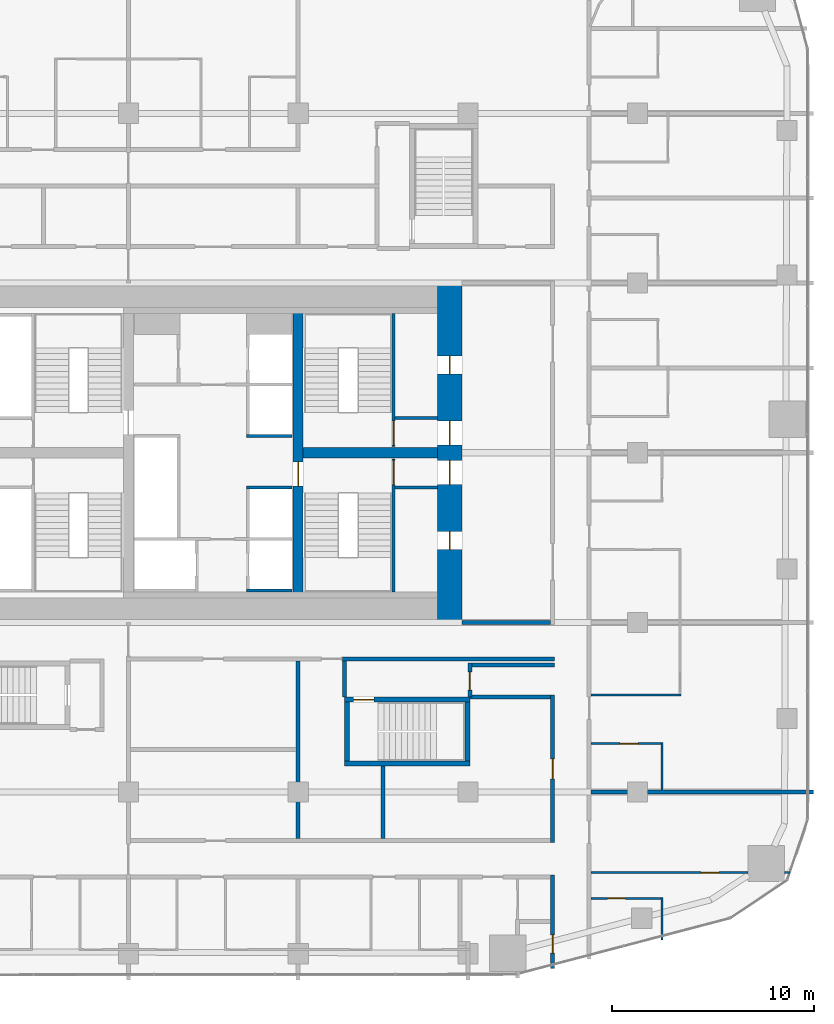
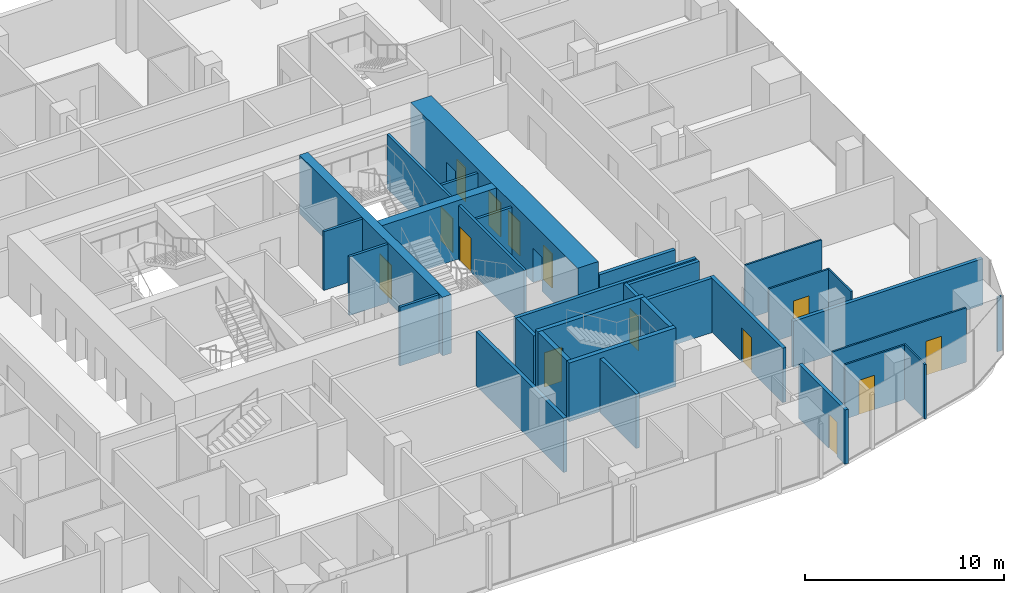
# One storey, part 19 of 25: 32 walls, 14 doors, 14 openings.
"""IFC4 building model written with IfcOpenShell, lengths in metres."""

from ifc_helpers import new_model, si_unit, direction, frame, frame_2d, origin, place, context, subcontext, project, spatial, rectangle, extrude, material, layer, layer_set, type_object, element, fill, save


model = new_model("IFC4")

# Units and contexts
model_context = context("Model", 3, precision=1e-05, world=origin(), true_north=direction((0.0, 1.0)))
body_context = subcontext(model_context, "Body", "Model", "MODEL_VIEW")
ifc_project = project(units=[si_unit("LENGTHUNIT", "METRE"), si_unit("AREAUNIT", "SQUARE_METRE"), si_unit("VOLUMEUNIT", "CUBIC_METRE"), si_unit("PLANEANGLEUNIT", "RADIAN"), si_unit("MASSUNIT", "GRAM", prefix="KILO")], contexts=[model_context])

# Site, building, storey
site_placement = place(None, origin())
site = spatial("IfcSite", under=ifc_project, at=site_placement, CompositionType="ELEMENT")
building_placement = place(site_placement, origin())
building = spatial("IfcBuilding", under=site, at=building_placement, Name="Marenta Gate Hotel Tower", CompositionType="ELEMENT")
storey_placement = place(building_placement, frame((0.0, 0.0, 50.89990234375)))
storey = spatial("IfcBuildingStorey", under=building, at=storey_placement, Name="L10", CompositionType="ELEMENT", Elevation=50.89990234375)

# Walls
ifc_material_1 = material(Name="Concrete blockwork", Category="masonry")
ifc_layer_1 = layer(ifc_material_1, 0.199951171875)
ifc_layer_set_1 = layer_set([ifc_layer_1], Name="Concrete blockwork")
wall_type_1 = type_object("IfcWallType", Name="Core boundary wall 200 REI 180", PredefinedType="PARTITIONING", material=ifc_layer_set_1)
wall_1_placement = place(storey_placement, frame((12.300048828125, 0.0, 0.0), z_axis=(0.0, 0.0, 1.0), x_axis=(1.0, 0.0, 0.0)))
element("IfcWall", 1, at=wall_1_placement, inside=storey, type_object=wall_type_1, Name="L10-CP-EW-ES", PredefinedType="PARTITIONING", context=body_context, shape_type="SweptSolid", body=[
    extrude(rectangle(XDim=4.39990234375, YDim=0.199951171875, at=frame_2d((2.199951171875, 0.0))), origin(), (0.0, 0.0, 1.0), 2.840087890625),
])
ifc_material_2 = material(Name="Concrete blockwork", Category="masonry")
ifc_layer_2 = layer(ifc_material_2, 0.14990234375)
ifc_layer_set_2 = layer_set([ifc_layer_2], Name="Concrete blockwork")
wall_type_2 = type_object("IfcWallType", Name="Core room partition 150 REI 180", PredefinedType="PARTITIONING", material=ifc_layer_set_2)
for number, where, z_axis, x_axis, name in (
    (2, (9.0, 6.675048828125, 0.0), (0.0, 0.0, 1.0), (1.0, 0.0, 0.0), "L10-CP-SW-ES-2"),
    (3, (9.0, 10.125, 0.0), (0.0, 0.0, 1.0), (1.0, 0.0, 0.0), "L10-CP-SW-EN-2"),
):
    element("IfcWall", number, at=place(storey_placement, frame(where, z_axis=z_axis, x_axis=x_axis)), inside=storey, type_object=wall_type_2, Name=name, PredefinedType="PARTITIONING", context=body_context, shape_type="SweptSolid", body=[
        extrude(rectangle(XDim=2.10009765625, YDim=0.14990234375, at=frame_2d((1.050048828125, 0.0))), origin(), (0.0, 0.0, 1.0), 3.340087890625),
    ])
ifc_material_3 = material(Name="Concrete C40", Category="concrete")
ifc_layer_3 = layer(ifc_material_3, 0.14990234375)
ifc_layer_set_3 = layer_set([ifc_layer_3], Name="Concrete C40")
wall_type_3 = type_object("IfcWallType", Name="Core shaft wall 150 REI 180", PredefinedType="SHEAR", material=ifc_layer_set_3)
for number, where, z_axis, x_axis, name in (
    (4, (1.64990234375, 1.574951171875, 0.0), (0.0, 0.0, 1.0), (1.0, 0.0, 0.0), "L10-SHF-CE-S-bot"),
    (5, (1.64990234375, 6.675048828125, 0.0), (0.0, 0.0, 1.0), (1.0, 0.0, 0.0), "L10-SHF-CE-sep1"),
    (6, (1.64990234375, 9.22509765625, 0.0), (0.0, 0.0, 1.0), (1.0, 0.0, 0.0), "L10-SHF-CE-sep2"),
):
    element("IfcWall", number, at=place(storey_placement, frame(where, z_axis=z_axis, x_axis=x_axis)), inside=storey, type_object=wall_type_3, Name=name, PredefinedType="SHEAR", context=body_context, shape_type="SweptSolid", body=[
        extrude(rectangle(XDim=2.25, YDim=0.14990234375, at=frame_2d((1.125, 0.0))), origin(), (0.0, 0.0, 1.0), 3.60009765625),
    ])

# Wall, opening, door
ifc_material_4 = material(Name="Concrete C40", Category="concrete")
ifc_layer_4 = layer(ifc_material_4, 0.14990234375)
ifc_layer_set_4 = layer_set([ifc_layer_4], Name="Concrete C40")
wall_type_4 = type_object("IfcWallType", Name="Core stair enclosure wall 150 REI 180", PredefinedType="SHEAR", material=ifc_layer_set_4)
wall_2_placement = place(storey_placement, frame((8.925048828125, 1.5, 0.0), z_axis=(0.0, 0.0, 1.0), x_axis=(0.0, 1.0, 0.0)))
wall_2 = element("IfcWall", 7, at=wall_2_placement, inside=storey, type_object=wall_type_4, Name="L10-SHF-SW-ES-3", PredefinedType="SHEAR", context=body_context, shape_type="SweptSolid", body=[
    extrude(rectangle(XDim=6.60009765625, YDim=0.14990234375, at=frame_2d((3.300048828125, 0.0))), origin(), (0.0, 0.0, 1.0), 3.340087890625),
])
opening_1_placement = place(wall_2_placement, frame((5.324951171875, 0.0, 0.0)))
opening_1 = element("IfcOpeningElement", 8, at=opening_1_placement, cuts=wall_2, Name="Opening SD-ES", PredefinedType="OPENING", context=body_context, shape_type="SweptSolid", body=[
    extrude(rectangle(XDim=1.199951171875, YDim=2.10009765625, at=frame_2d((0.60009765625, 1.050048828125))), frame((0.0, 0.074951171875, 0.0), z_axis=(0.0, -1.0, 0.0), x_axis=(1.0, 0.0, 0.0)), (0.0, 0.0, 1.0), 0.14990234375),
])
ifc_material_5 = material(Name="Steel", Category="steel")
door_type_1 = type_object("IfcDoorType", Name="Core stair door 1200x2100 FD60", OperationType="SINGLE_SWING_LEFT", PredefinedType="DOOR", material=ifc_material_5)
door_1_placement = place(opening_1_placement, origin())
door_1 = element("IfcDoor", 9, at=door_1_placement, inside=storey, type_object=door_type_1, Name="SD-ES", OperationType="SINGLE_SWING_LEFT", OverallHeight=2.10009765625, OverallWidth=1.199951171875, PredefinedType="DOOR", context=body_context, shape_type="SweptSolid", body=[
    extrude(rectangle(XDim=1.199951171875, YDim=2.10009765625, at=frame_2d((0.60009765625, 1.050048828125))), frame((0.0, 0.02490234375, 0.0), z_axis=(0.0, -1.0, 0.0), x_axis=(1.0, 0.0, 0.0)), (0.0, 0.0, 1.0), 0.050048828125),
])
fill(opening_1, door_1)

wall_3_placement = place(storey_placement, frame((8.925048828125, 8.699951171875, 0.0), z_axis=(0.0, 0.0, 1.0), x_axis=(0.0, 1.0, 0.0)))
wall_3 = element("IfcWall", 10, at=wall_3_placement, inside=storey, type_object=wall_type_4, Name="L10-SHF-SW-EN-3", PredefinedType="SHEAR", context=body_context, shape_type="SweptSolid", body=[
    extrude(rectangle(XDim=6.60009765625, YDim=0.14990234375, at=frame_2d((3.300048828125, 0.0))), origin(), (0.0, 0.0, 1.0), 3.340087890625),
])
opening_2_placement = place(wall_3_placement, frame((0.074951171875, 0.0, 0.0)))
opening_2 = element("IfcOpeningElement", 11, at=opening_2_placement, cuts=wall_3, Name="Opening SD-EN", PredefinedType="OPENING", context=body_context, shape_type="SweptSolid", body=[
    extrude(rectangle(XDim=1.199951171875, YDim=2.10009765625, at=frame_2d((0.60009765625, 1.050048828125))), frame((0.0, 0.074951171875, 0.0), z_axis=(0.0, -1.0, 0.0), x_axis=(1.0, 0.0, 0.0)), (0.0, 0.0, 1.0), 0.14990234375),
])
door_2_placement = place(opening_2_placement, origin())
door_2 = element("IfcDoor", 12, at=door_2_placement, inside=storey, type_object=door_type_1, Name="SD-EN", OperationType="SINGLE_SWING_LEFT", OverallHeight=2.10009765625, OverallWidth=1.199951171875, PredefinedType="DOOR", context=body_context, shape_type="SweptSolid", body=[
    extrude(rectangle(XDim=1.199951171875, YDim=2.10009765625, at=frame_2d((0.60009765625, 1.050048828125))), frame((0.0, 0.02490234375, 0.0), z_axis=(0.0, -1.0, 0.0), x_axis=(1.0, 0.0, 0.0)), (0.0, 0.0, 1.0), 0.050048828125),
])
fill(opening_2, door_2)

# Wall, openings, doors
ifc_material_6 = material(Name="Concrete C80", Category="concrete")
ifc_layer_5 = layer(ifc_material_6, 1.199951171875)
ifc_layer_set_5 = layer_set([ifc_layer_5], Name="Concrete C80")
wall_type_5 = type_object("IfcWallType", Name="Core wall 1200 C80", PredefinedType="SHEAR", material=ifc_layer_set_5)
wall_4_placement = place(storey_placement, frame((11.699951171875, 0.0, 0.0), z_axis=(0.0, 0.0, 1.0), x_axis=(0.0, 1.0, 0.0)))
wall_4 = element("IfcWall", 13, at=wall_4_placement, inside=storey, type_object=wall_type_5, Name="L10-CORE-E", PredefinedType="SHEAR", context=body_context, shape_type="SweptSolid", body=[
    extrude(rectangle(XDim=16.800048828125, YDim=1.199951171875, at=frame_2d((8.39990234375, 0.0))), origin(), (0.0, 0.0, 1.0), 3.60009765625),
])
opening_3_placement = place(wall_4_placement, frame((3.60009765625, 0.0, 0.0)))
opening_3 = element("IfcOpeningElement", 14, at=opening_3_placement, cuts=wall_4, Name="Opening RD-ES-1", PredefinedType="OPENING", context=body_context, shape_type="SweptSolid", body=[
    extrude(rectangle(XDim=0.89990234375, YDim=2.10009765625, at=frame_2d((0.449951171875, 1.050048828125))), frame((0.0, 0.60009765625, 0.0), z_axis=(0.0, -1.0, 0.0), x_axis=(1.0, 0.0, 0.0)), (0.0, 0.0, 1.0), 1.199951171875),
])
opening_4_placement = place(wall_4_placement, frame((6.824951171875, 0.0, 0.0)))
opening_4 = element("IfcOpeningElement", 15, at=opening_4_placement, cuts=wall_4, Name="Opening PD-ES", PredefinedType="OPENING", context=body_context, shape_type="SweptSolid", body=[
    extrude(rectangle(XDim=1.199951171875, YDim=2.10009765625, at=frame_2d((0.60009765625, 1.050048828125))), frame((0.0, 0.60009765625, 0.0), z_axis=(0.0, -1.0, 0.0), x_axis=(1.0, 0.0, 0.0)), (0.0, 0.0, 1.0), 1.199951171875),
])
opening_5_placement = place(wall_4_placement, frame((12.300048828125, 0.0, 0.0)))
opening_5 = element("IfcOpeningElement", 16, at=opening_5_placement, cuts=wall_4, Name="Opening RD-EN-1", PredefinedType="OPENING", context=body_context, shape_type="SweptSolid", body=[
    extrude(rectangle(XDim=0.89990234375, YDim=2.10009765625, at=frame_2d((0.449951171875, 1.050048828125))), frame((0.0, 0.60009765625, 0.0), z_axis=(0.0, -1.0, 0.0), x_axis=(1.0, 0.0, 0.0)), (0.0, 0.0, 1.0), 1.199951171875),
])
opening_6_placement = place(wall_4_placement, frame((8.77490234375, 0.0, 0.0)))
opening_6 = element("IfcOpeningElement", 17, at=opening_6_placement, cuts=wall_4, Name="Opening PD-EN", PredefinedType="OPENING", context=body_context, shape_type="SweptSolid", body=[
    extrude(rectangle(XDim=1.199951171875, YDim=2.10009765625, at=frame_2d((0.60009765625, 1.050048828125))), frame((0.0, 0.60009765625, 0.0), z_axis=(0.0, -1.0, 0.0), x_axis=(1.0, 0.0, 0.0)), (0.0, 0.0, 1.0), 1.199951171875),
])
ifc_material_7 = material(Name="Steel", Category="steel")
door_type_2 = type_object("IfcDoorType", Name="Core lobby door 1200x2100 FD60", OperationType="SINGLE_SWING_LEFT", PredefinedType="DOOR", material=ifc_material_7)
door_3_placement = place(opening_4_placement, origin())
door_3 = element("IfcDoor", 18, at=door_3_placement, inside=storey, type_object=door_type_2, Name="PD-ES", OperationType="SINGLE_SWING_LEFT", OverallHeight=2.10009765625, OverallWidth=1.199951171875, PredefinedType="DOOR", context=body_context, shape_type="SweptSolid", body=[
    extrude(rectangle(XDim=1.199951171875, YDim=2.10009765625, at=frame_2d((0.60009765625, 1.050048828125))), frame((0.0, 0.02490234375, 0.0), z_axis=(0.0, -1.0, 0.0), x_axis=(1.0, 0.0, 0.0)), (0.0, 0.0, 1.0), 0.050048828125),
])
fill(opening_4, door_3)
door_4_placement = place(opening_6_placement, origin())
door_4 = element("IfcDoor", 19, at=door_4_placement, inside=storey, type_object=door_type_2, Name="PD-EN", OperationType="SINGLE_SWING_LEFT", OverallHeight=2.10009765625, OverallWidth=1.199951171875, PredefinedType="DOOR", context=body_context, shape_type="SweptSolid", body=[
    extrude(rectangle(XDim=1.199951171875, YDim=2.10009765625, at=frame_2d((0.60009765625, 1.050048828125))), frame((0.0, 0.02490234375, 0.0), z_axis=(0.0, -1.0, 0.0), x_axis=(1.0, 0.0, 0.0)), (0.0, 0.0, 1.0), 0.050048828125),
])
fill(opening_6, door_4)
ifc_material_8 = material(Name="Steel", Category="steel")
door_type_3 = type_object("IfcDoorType", Name="Core service room door 900x2100 FD30S", OperationType="SINGLE_SWING_LEFT", PredefinedType="DOOR", material=ifc_material_8)
door_5_placement = place(opening_3_placement, origin())
door_5 = element("IfcDoor", 20, at=door_5_placement, inside=storey, type_object=door_type_3, Name="RD-ES-1", OperationType="SINGLE_SWING_LEFT", OverallHeight=2.10009765625, OverallWidth=0.89990234375, PredefinedType="DOOR", context=body_context, shape_type="SweptSolid", body=[
    extrude(rectangle(XDim=0.89990234375, YDim=2.10009765625, at=frame_2d((0.449951171875, 1.050048828125))), frame((0.0, 0.02490234375, 0.0), z_axis=(0.0, -1.0, 0.0), x_axis=(1.0, 0.0, 0.0)), (0.0, 0.0, 1.0), 0.050048828125),
])
fill(opening_3, door_5)
door_6_placement = place(opening_5_placement, origin())
door_6 = element("IfcDoor", 21, at=door_6_placement, inside=storey, type_object=door_type_3, Name="RD-EN-1", OperationType="SINGLE_SWING_LEFT", OverallHeight=2.10009765625, OverallWidth=0.89990234375, PredefinedType="DOOR", context=body_context, shape_type="SweptSolid", body=[
    extrude(rectangle(XDim=0.89990234375, YDim=2.10009765625, at=frame_2d((0.449951171875, 1.050048828125))), frame((0.0, 0.02490234375, 0.0), z_axis=(0.0, -1.0, 0.0), x_axis=(1.0, 0.0, 0.0)), (0.0, 0.0, 1.0), 0.050048828125),
])
fill(opening_5, door_6)

# Wall, opening, door
ifc_material_9 = material(Name="Concrete C80", Category="concrete")
ifc_layer_6 = layer(ifc_material_9, 0.5)
ifc_layer_set_6 = layer_set([ifc_layer_6], Name="Concrete C80")
wall_type_6 = type_object("IfcWallType", Name="Core web 500 C80", PredefinedType="SHEAR", material=ifc_layer_set_6)
wall_5_placement = place(storey_placement, frame((4.199951171875, 1.199951171875, 0.0), z_axis=(0.0, 0.0, 1.0), x_axis=(0.0, 1.0, 0.0)))
wall_5 = element("IfcWall", 22, at=wall_5_placement, inside=storey, type_object=wall_type_6, Name="L10-CORE-W2", PredefinedType="SHEAR", context=body_context, shape_type="SweptSolid", body=[
    extrude(rectangle(XDim=14.400146484375, YDim=0.5, at=frame_2d((7.2001953125, 0.0))), origin(), (0.0, 0.0, 1.0), 3.60009765625),
])
opening_7_placement = place(wall_5_placement, frame((5.550048828125, 0.0, 0.0)))
opening_7 = element("IfcOpeningElement", 23, at=opening_7_placement, cuts=wall_5, Name="Opening WD-E", PredefinedType="OPENING", context=body_context, shape_type="SweptSolid", body=[
    extrude(rectangle(XDim=1.199951171875, YDim=2.10009765625, at=frame_2d((0.60009765625, 1.050048828125))), frame((0.0, 0.25, 0.0), z_axis=(0.0, -1.0, 0.0), x_axis=(1.0, 0.0, 0.0)), (0.0, 0.0, 1.0), 0.5),
])
door_7_placement = place(opening_7_placement, origin())
door_7 = element("IfcDoor", 24, at=door_7_placement, inside=storey, type_object=door_type_1, Name="WD-E", OperationType="SINGLE_SWING_LEFT", OverallHeight=2.10009765625, OverallWidth=1.199951171875, PredefinedType="DOOR", context=body_context, shape_type="SweptSolid", body=[
    extrude(rectangle(XDim=1.199951171875, YDim=2.10009765625, at=frame_2d((0.60009765625, 1.050048828125))), frame((0.0, 0.02490234375, 0.0), z_axis=(0.0, -1.0, 0.0), x_axis=(1.0, 0.0, 0.0)), (0.0, 0.0, 1.0), 0.050048828125),
])
fill(opening_7, door_7)

# Walls
wall_6_placement = place(storey_placement, frame((4.449951171875, 8.39990234375, 0.0), z_axis=(0.0, 0.0, 1.0), x_axis=(1.0, 0.0, 0.0)))
element("IfcWall", 25, at=wall_6_placement, inside=storey, type_object=wall_type_6, Name="L10-CORE-W4", PredefinedType="SHEAR", context=body_context, shape_type="SweptSolid", body=[
    extrude(rectangle(XDim=6.650146484375, YDim=0.5, at=frame_2d((3.3251953125, 0.0))), origin(), (0.0, 0.0, 1.0), 3.60009765625),
])
ifc_material_10 = material(Name="Concrete C40", Category="concrete")
ifc_layer_7 = layer(ifc_material_10, 0.25)
ifc_layer_set_7 = layer_set([ifc_layer_7], Name="Concrete C40")
wall_type_7 = type_object("IfcWallType", Name="Remote stair enclosure wall 250 REI 180", PredefinedType="SHEAR", material=ifc_layer_set_7)
wall_7_placement = place(storey_placement, frame((6.5, -6.97509765625, 0.10009765625), z_axis=(0.0, 0.0, 1.0), x_axis=(1.0, 0.0, 0.0)))
element("IfcWall", 26, at=wall_7_placement, inside=storey, type_object=wall_type_7, Name="L10-RS-Z1-1-W1", PredefinedType="SHEAR", context=body_context, shape_type="SweptSolid", body=[
    extrude(rectangle(XDim=6.199951171875, YDim=0.25, at=frame_2d((3.10009765625, 0.0))), origin(), (0.0, 0.0, 1.0), 3.60009765625),
])

# Wall, opening, door
wall_8_placement = place(storey_placement, frame((6.5, -3.824951171875, 0.10009765625), z_axis=(0.0, 0.0, 1.0), x_axis=(1.0, 0.0, 0.0)))
wall_8 = element("IfcWall", 27, at=wall_8_placement, inside=storey, type_object=wall_type_7, Name="L10-RS-Z1-1-W2", PredefinedType="SHEAR", context=body_context, shape_type="SweptSolid", body=[
    extrude(rectangle(XDim=6.199951171875, YDim=0.25, at=frame_2d((3.10009765625, 0.0))), origin(), (0.0, 0.0, 1.0), 3.60009765625),
])
opening_8_placement = place(wall_8_placement, frame((0.449951171875, 0.0, 0.0)))
opening_8 = element("IfcOpeningElement", 28, at=opening_8_placement, cuts=wall_8, Name="Opening VD", PredefinedType="OPENING", context=body_context, shape_type="SweptSolid", body=[
    extrude(rectangle(XDim=1.0, YDim=2.10009765625, at=frame_2d((0.5, 1.050048828125))), frame((0.0, 0.125, 0.0), z_axis=(0.0, -1.0, 0.0), x_axis=(1.0, 0.0, 0.0)), (0.0, 0.0, 1.0), 0.25),
])
ifc_material_11 = material(Name="Steel", Category="steel")
door_type_4 = type_object("IfcDoorType", Name="Stair vestibule door 1000x2100 FD60", OperationType="SINGLE_SWING_LEFT", PredefinedType="DOOR", material=ifc_material_11)
door_8_placement = place(opening_8_placement, origin())
door_8 = element("IfcDoor", 29, at=door_8_placement, inside=storey, type_object=door_type_4, Name="VD", OperationType="SINGLE_SWING_LEFT", OverallHeight=2.10009765625, OverallWidth=1.0, PredefinedType="DOOR", context=body_context, shape_type="SweptSolid", body=[
    extrude(rectangle(XDim=1.0, YDim=2.10009765625, at=frame_2d((0.5, 1.050048828125))), frame((0.0, 0.02490234375, 0.0), z_axis=(0.0, -1.0, 0.0), x_axis=(1.0, 0.0, 0.0)), (0.0, 0.0, 1.0), 0.050048828125),
])
fill(opening_8, door_8)

# Walls
for number, where, z_axis, x_axis, name in (
    (30, (6.625, -6.85009765625, 0.10009765625), (0.0, 0.0, 1.0), (0.0, 1.0, 0.0), "L10-RS-Z1-1-W3"),
    (31, (12.574951171875, -6.85009765625, 0.10009765625), (0.0, 0.0, 1.0), (0.0, 1.0, 0.0), "L10-RS-Z1-1-W4"),
):
    element("IfcWall", number, at=place(storey_placement, frame(where, z_axis=z_axis, x_axis=x_axis)), inside=storey, type_object=wall_type_7, Name=name, PredefinedType="SHEAR", context=body_context, shape_type="SweptSolid", body=[
        extrude(rectangle(XDim=2.900146484375, YDim=0.25, at=frame_2d((1.4501953125, 0.0))), origin(), (0.0, 0.0, 1.0), 3.60009765625),
    ])

# Wall, opening, door
ifc_material_12 = material(Name="Concrete blockwork", Category="masonry")
ifc_layer_8 = layer(ifc_material_12, 0.199951171875)
ifc_layer_set_8 = layer_set([ifc_layer_8], Name="Concrete blockwork")
wall_type_8 = type_object("IfcWallType", Name="Room corridor wall 200 EI 120", PredefinedType="PARTITIONING", material=ifc_layer_set_8)
wall_9_placement = place(storey_placement, frame((16.800048828125, -17.14306640625, 0.0), z_axis=(0.0, 0.0, 1.0), x_axis=(0.0, 1.0, 0.0)))
wall_9 = element("IfcWall", 32, at=wall_9_placement, inside=storey, type_object=wall_type_8, Name="L10-PTN-W012", PredefinedType="PARTITIONING", context=body_context, shape_type="SweptSolid", body=[
    extrude(rectangle(XDim=4.64306640625, YDim=0.199951171875, at=frame_2d((2.321533203125, 0.0))), origin(), (0.0, 0.0, 1.0), 3.340087890625),
])
opening_9_placement = place(wall_9_placement, frame((0.77099609375, 0.0, 0.0)))
opening_9 = element("IfcOpeningElement", 33, at=opening_9_placement, cuts=wall_9, Name="Opening G03-75", PredefinedType="OPENING", context=body_context, shape_type="SweptSolid", body=[
    extrude(rectangle(XDim=0.89990234375, YDim=2.10009765625, at=frame_2d((0.449951171875, 1.050048828125))), frame((0.0, 0.10009765625, 0.0), z_axis=(0.0, -1.0, 0.0), x_axis=(1.0, 0.0, 0.0)), (0.0, 0.0, 1.0), 0.199951171875),
])
ifc_material_13 = material(Name="Hollow steel door set", Category="steel")
door_type_5 = type_object("IfcDoorType", Name="Room service door 900x2100 EI 60", OperationType="NOTDEFINED", PredefinedType="DOOR", material=ifc_material_13)
door_9_placement = place(opening_9_placement, origin())
door_9 = element("IfcDoor", 34, at=door_9_placement, inside=storey, type_object=door_type_5, Name="L10-PD-D075", OperationType="SINGLE_SWING_RIGHT", OverallHeight=2.10009765625, OverallWidth=0.89990234375, PredefinedType="DOOR", context=body_context, shape_type="SweptSolid", body=[
    extrude(rectangle(XDim=0.89990234375, YDim=2.10009765625, at=frame_2d((0.449951171875, 1.050048828125))), frame((0.0, 0.02490234375, 0.0), z_axis=(0.0, -1.0, 0.0), x_axis=(1.0, 0.0, 0.0)), (0.0, 0.0, 1.0), 0.050048828125),
])
fill(opening_9, door_9)

ifc_material_14 = material(Name="Gypsum board on steel stud", Category="steel")
ifc_layer_9 = layer(ifc_material_14, 0.199951171875)
ifc_layer_set_9 = layer_set([ifc_layer_9], Name="Gypsum board on steel stud")
wall_type_9 = type_object("IfcWallType", Name="Room corridor wall 200 EI 60", PredefinedType="PARTITIONING", material=ifc_layer_set_9)
wall_10_placement = place(storey_placement, frame((16.800048828125, -10.89990234375, 0.0), z_axis=(0.0, 0.0, 1.0), x_axis=(0.0, 1.0, 0.0)))
wall_10 = element("IfcWall", 35, at=wall_10_placement, inside=storey, type_object=wall_type_9, Name="L10-PTN-W013", PredefinedType="PARTITIONING", context=body_context, shape_type="SweptSolid", body=[
    extrude(rectangle(XDim=7.2998046875, YDim=0.199951171875, at=frame_2d((3.64990234375, 0.0))), origin(), (0.0, 0.0, 1.0), 3.340087890625),
])
opening_10_placement = place(wall_10_placement, frame((3.14990234375, 0.0, 0.0)))
opening_10 = element("IfcOpeningElement", 36, at=opening_10_placement, cuts=wall_10, Name="Opening G03-63", PredefinedType="OPENING", context=body_context, shape_type="SweptSolid", body=[
    extrude(rectangle(XDim=1.0, YDim=2.10009765625, at=frame_2d((0.5, 1.050048828125))), frame((0.0, 0.10009765625, 0.0), z_axis=(0.0, -1.0, 0.0), x_axis=(1.0, 0.0, 0.0)), (0.0, 0.0, 1.0), 0.199951171875),
])
ifc_material_15 = material(Name="Timber door leaf", Category="wood")
door_type_6 = type_object("IfcDoorType", Name="Room amenity door 1000x2100 EI 30", OperationType="NOTDEFINED", PredefinedType="DOOR", material=ifc_material_15)
door_10_placement = place(opening_10_placement, origin())
door_10 = element("IfcDoor", 37, at=door_10_placement, inside=storey, type_object=door_type_6, Name="L10-PD-D063", OperationType="SINGLE_SWING_LEFT", OverallHeight=2.10009765625, OverallWidth=1.0, PredefinedType="DOOR", context=body_context, shape_type="SweptSolid", body=[
    extrude(rectangle(XDim=1.0, YDim=2.10009765625, at=frame_2d((0.5, 1.050048828125))), frame((0.0, 0.02490234375, 0.0), z_axis=(0.0, -1.0, 0.0), x_axis=(1.0, 0.0, 0.0)), (0.0, 0.0, 1.0), 0.050048828125),
])
fill(opening_10, door_10)

# Wall
wall_11_placement = place(storey_placement, frame((12.699951171875, -3.699951171875, 0.0), z_axis=(0.0, 0.0, 1.0), x_axis=(1.0, 0.0, 0.0)))
element("IfcWall", 38, at=wall_11_placement, inside=storey, type_object=wall_type_9, Name="L10-PTN-W051", PredefinedType="PARTITIONING", context=body_context, shape_type="SweptSolid", body=[
    extrude(rectangle(XDim=4.0, YDim=0.199951171875, at=frame_2d((2.0, 0.0))), origin(), (0.0, 0.0, 1.0), 3.340087890625),
])

# Wall, opening, door
ifc_material_16 = material(Name="Concrete blockwork", Category="masonry")
ifc_layer_10 = layer(ifc_material_16, 0.199951171875)
ifc_layer_set_10 = layer_set([ifc_layer_10], Name="Concrete blockwork")
wall_type_10 = type_object("IfcWallType", Name="Room corridor wall 200 REI 180", PredefinedType="PARTITIONING", material=ifc_layer_set_10)
wall_12_placement = place(storey_placement, frame((12.699951171875, -3.699951171875, 0.0), z_axis=(0.0, 0.0, 1.0), x_axis=(0.0, 1.0, 0.0)))
wall_12 = element("IfcWall", 39, at=wall_12_placement, inside=storey, type_object=wall_type_10, Name="L10-PTN-W026", PredefinedType="PARTITIONING", context=body_context, shape_type="SweptSolid", body=[
    extrude(rectangle(XDim=1.699951171875, YDim=0.199951171875, at=frame_2d((0.85009765625, 0.0))), origin(), (0.0, 0.0, 1.0), 3.340087890625),
])
opening_11_placement = place(wall_12_placement, frame((0.35009765625, 0.0, 0.0)))
opening_11 = element("IfcOpeningElement", 40, at=opening_11_placement, cuts=wall_12, Name="Opening G03-58", PredefinedType="OPENING", context=body_context, shape_type="SweptSolid", body=[
    extrude(rectangle(XDim=0.89990234375, YDim=2.10009765625, at=frame_2d((0.449951171875, 1.050048828125))), frame((0.0, 0.10009765625, 0.0), z_axis=(0.0, -1.0, 0.0), x_axis=(1.0, 0.0, 0.0)), (0.0, 0.0, 1.0), 0.199951171875),
])
ifc_material_17 = material(Name="Hollow steel door set", Category="steel")
door_type_7 = type_object("IfcDoorType", Name="Stair vestibule door 900x2100 EI 60", OperationType="NOTDEFINED", PredefinedType="DOOR", material=ifc_material_17)
door_11_placement = place(opening_11_placement, origin())
door_11 = element("IfcDoor", 41, at=door_11_placement, inside=storey, type_object=door_type_7, Name="L10-PD-D058", OperationType="SINGLE_SWING_LEFT", OverallHeight=2.10009765625, OverallWidth=0.89990234375, PredefinedType="DOOR", context=body_context, shape_type="SweptSolid", body=[
    extrude(rectangle(XDim=0.89990234375, YDim=2.10009765625, at=frame_2d((0.449951171875, 1.050048828125))), frame((0.0, 0.02490234375, 0.0), z_axis=(0.0, -1.0, 0.0), x_axis=(1.0, 0.0, 0.0)), (0.0, 0.0, 1.0), 0.050048828125),
])
fill(opening_11, door_11)

# Walls
wall_13_placement = place(storey_placement, frame((12.800048828125, -2.10009765625, 0.0), z_axis=(0.0, 0.0, 1.0), x_axis=(1.0, 0.0, 0.0)))
element("IfcWall", 42, at=wall_13_placement, inside=storey, type_object=wall_type_10, Name="L10-PTN-W054", PredefinedType="PARTITIONING", context=body_context, shape_type="SweptSolid", body=[
    extrude(rectangle(XDim=4.099853515625, YDim=0.199951171875, at=frame_2d((2.0498046875, 0.0))), origin(), (0.0, 0.0, 1.0), 3.340087890625),
])
wall_14_placement = place(storey_placement, frame((6.39990234375, -1.800048828125, 0.0), z_axis=(0.0, 0.0, 1.0), x_axis=(1.0, 0.0, 0.0)))
element("IfcWall", 43, at=wall_14_placement, inside=storey, type_object=wall_type_10, Name="L10-PTN-W059", PredefinedType="PARTITIONING", context=body_context, shape_type="SweptSolid", body=[
    extrude(rectangle(XDim=10.5, YDim=0.199951171875, at=frame_2d((5.25, 0.0))), origin(), (0.0, 0.0, 1.0), 3.340087890625),
])
ifc_material_18 = material(Name="Gypsum board on steel stud", Category="steel")
ifc_layer_11 = layer(ifc_material_18, 0.10009765625)
ifc_layer_set_11 = layer_set([ifc_layer_11], Name="Gypsum board on steel stud")
wall_type_11 = type_object("IfcWallType", Name="Room partition 100", PredefinedType="PARTITIONING", material=ifc_layer_set_11)
wall_15_placement = place(storey_placement, frame((22.199951171875, -15.7099609375, 0.0), z_axis=(0.0, 0.0, 1.0), x_axis=(0.0, 1.0, 0.0)))
element("IfcWall", 44, at=wall_15_placement, inside=storey, type_object=wall_type_11, Name="L10-PTN-W004", PredefinedType="PARTITIONING", context=body_context, shape_type="SweptSolid", body=[
    extrude(rectangle(XDim=2.094970703125, YDim=0.10009765625, at=frame_2d((1.04736328125, 0.0))), origin(), (0.0, 0.0, 1.0), 3.340087890625),
])
wall_16_placement = place(storey_placement, frame((22.199951171875, -8.300048828125, 0.0), z_axis=(0.0, 0.0, 1.0), x_axis=(0.0, 1.0, 0.0)))
element("IfcWall", 45, at=wall_16_placement, inside=storey, type_object=wall_type_11, Name="L10-PTN-W005", PredefinedType="PARTITIONING", context=body_context, shape_type="SweptSolid", body=[
    extrude(rectangle(XDim=2.35009765625, YDim=0.10009765625, at=frame_2d((1.175048828125, 0.0))), origin(), (0.0, 0.0, 1.0), 3.340087890625),
])

# Wall, opening, door
wall_17_placement = place(storey_placement, frame((18.699951171875, -13.6650390625, 0.0), z_axis=(0.0, 0.0, 1.0), x_axis=(1.0, 0.0, 0.0)))
wall_17 = element("IfcWall", 46, at=wall_17_placement, inside=storey, type_object=wall_type_11, Name="L10-PTN-W025", PredefinedType="PARTITIONING", context=body_context, shape_type="SweptSolid", body=[
    extrude(rectangle(XDim=3.449951171875, YDim=0.10009765625, at=frame_2d((1.72509765625, 0.0))), origin(), (0.0, 0.0, 1.0), 3.340087890625),
])
opening_12_placement = place(wall_17_placement, frame((0.800048828125, 0.0, 0.0)))
opening_12 = element("IfcOpeningElement", 47, at=opening_12_placement, cuts=wall_17, Name="Opening G03-09", PredefinedType="OPENING", context=body_context, shape_type="SweptSolid", body=[
    extrude(rectangle(XDim=0.89990234375, YDim=2.10009765625, at=frame_2d((0.449951171875, 1.050048828125))), frame((0.0, 0.050048828125, 0.0), z_axis=(0.0, -1.0, 0.0), x_axis=(1.0, 0.0, 0.0)), (0.0, 0.0, 1.0), 0.10009765625),
])
ifc_material_19 = material(Name="Timber door leaf", Category="wood")
door_type_8 = type_object("IfcDoorType", Name="Guest bathroom door 900x2100", OperationType="NOTDEFINED", PredefinedType="DOOR", material=ifc_material_19)
door_12_placement = place(opening_12_placement, origin())
door_12 = element("IfcDoor", 48, at=door_12_placement, inside=storey, type_object=door_type_8, Name="L10-PD-D009", OperationType="SINGLE_SWING_LEFT", OverallHeight=2.10009765625, OverallWidth=0.89990234375, PredefinedType="DOOR", context=body_context, shape_type="SweptSolid", body=[
    extrude(rectangle(XDim=0.89990234375, YDim=2.10009765625, at=frame_2d((0.449951171875, 1.050048828125))), frame((0.0, 0.02490234375, 0.0), z_axis=(0.0, -1.0, 0.0), x_axis=(1.0, 0.0, 0.0)), (0.0, 0.0, 1.0), 0.050048828125),
])
fill(opening_12, door_12)

wall_18_placement = place(storey_placement, frame((18.699951171875, -12.383056640625, 0.0), z_axis=(0.0, 0.0, 1.0), x_axis=(1.0, 0.0, 0.0)))
wall_18 = element("IfcWall", 49, at=wall_18_placement, inside=storey, type_object=wall_type_11, Name="L10-PTN-W029", PredefinedType="PARTITIONING", context=body_context, shape_type="SweptSolid", body=[
    extrude(rectangle(XDim=7.762939453125, YDim=0.10009765625, at=frame_2d((3.88134765625, 0.0))), origin(), (0.0, 0.0, 1.0), 3.340087890625),
])
opening_13_placement = place(wall_18_placement, frame((5.429931640625, 0.0, 0.0)))
opening_13 = element("IfcOpeningElement", 50, at=opening_13_placement, cuts=wall_18, Name="Opening G03-08", PredefinedType="OPENING", context=body_context, shape_type="SweptSolid", body=[
    extrude(rectangle(XDim=0.89990234375, YDim=2.10009765625, at=frame_2d((0.449951171875, 1.050048828125))), frame((0.0, 0.050048828125, 0.0), z_axis=(0.0, -1.0, 0.0), x_axis=(1.0, 0.0, 0.0)), (0.0, 0.0, 1.0), 0.10009765625),
])
ifc_material_20 = material(Name="Timber door leaf", Category="wood")
door_type_9 = type_object("IfcDoorType", Name="Room inner door 900x2100", OperationType="NOTDEFINED", PredefinedType="DOOR", material=ifc_material_20)
door_13_placement = place(opening_13_placement, origin())
door_13 = element("IfcDoor", 51, at=door_13_placement, inside=storey, type_object=door_type_9, Name="L10-PD-D008", OperationType="SINGLE_SWING_LEFT", OverallHeight=2.10009765625, OverallWidth=0.89990234375, PredefinedType="DOOR", context=body_context, shape_type="SweptSolid", body=[
    extrude(rectangle(XDim=0.89990234375, YDim=2.10009765625, at=frame_2d((0.449951171875, 1.050048828125))), frame((0.0, 0.02490234375, 0.0), z_axis=(0.0, -1.0, 0.0), x_axis=(1.0, 0.0, 0.0)), (0.0, 0.0, 1.0), 0.050048828125),
])
fill(opening_13, door_13)

# Wall
wall_19_placement = place(storey_placement, frame((28.262939453125, -12.383056640625, 0.0), z_axis=(0.0, 0.0, 1.0), x_axis=(1.0, 0.0, 0.0)))
element("IfcWall", 52, at=wall_19_placement, inside=storey, type_object=wall_type_11, Name="L10-PTN-W138", PredefinedType="PARTITIONING", context=body_context, shape_type="SweptSolid", body=[
    extrude(rectangle(XDim=0.2900390625, YDim=0.10009765625, at=frame_2d((0.14501953125, 0.0))), origin(), (0.0, 0.0, 1.0), 3.340087890625),
])

# Wall, opening, door
wall_20_placement = place(storey_placement, frame((18.699951171875, -6.0, 0.0), z_axis=(0.0, 0.0, 1.0), x_axis=(1.0, 0.0, 0.0)))
wall_20 = element("IfcWall", 53, at=wall_20_placement, inside=storey, type_object=wall_type_11, Name="L10-PTN-W043", PredefinedType="PARTITIONING", context=body_context, shape_type="SweptSolid", body=[
    extrude(rectangle(XDim=3.449951171875, YDim=0.10009765625, at=frame_2d((1.72509765625, 0.0))), origin(), (0.0, 0.0, 1.0), 3.340087890625),
])
opening_14_placement = place(wall_20_placement, frame((1.429931640625, 0.0, 0.0)))
opening_14 = element("IfcOpeningElement", 54, at=opening_14_placement, cuts=wall_20, Name="Opening G03-12", PredefinedType="OPENING", context=body_context, shape_type="SweptSolid", body=[
    extrude(rectangle(XDim=0.89990234375, YDim=2.10009765625, at=frame_2d((0.449951171875, 1.050048828125))), frame((0.0, 0.050048828125, 0.0), z_axis=(0.0, -1.0, 0.0), x_axis=(1.0, 0.0, 0.0)), (0.0, 0.0, 1.0), 0.10009765625),
])
door_14_placement = place(opening_14_placement, origin())
door_14 = element("IfcDoor", 55, at=door_14_placement, inside=storey, type_object=door_type_9, Name="L10-PD-D012", OperationType="SINGLE_SWING_LEFT", OverallHeight=2.10009765625, OverallWidth=0.89990234375, PredefinedType="DOOR", context=body_context, shape_type="SweptSolid", body=[
    extrude(rectangle(XDim=0.89990234375, YDim=2.10009765625, at=frame_2d((0.449951171875, 1.050048828125))), frame((0.0, 0.02490234375, 0.0), z_axis=(0.0, -1.0, 0.0), x_axis=(1.0, 0.0, 0.0)), (0.0, 0.0, 1.0), 0.050048828125),
])
fill(opening_14, door_14)

# Walls
wall_21_placement = place(storey_placement, frame((18.699951171875, -3.60009765625, 0.0), z_axis=(0.0, 0.0, 1.0), x_axis=(1.0, 0.0, 0.0)))
element("IfcWall", 56, at=wall_21_placement, inside=storey, type_object=wall_type_11, Name="L10-PTN-W053", PredefinedType="PARTITIONING", context=body_context, shape_type="SweptSolid", body=[
    extrude(rectangle(XDim=4.449951171875, YDim=0.10009765625, at=frame_2d((2.22509765625, 0.0))), origin(), (0.0, 0.0, 1.0), 3.340087890625),
])
ifc_material_21 = material(Name="Gypsum board on steel stud", Category="steel")
ifc_layer_12 = layer(ifc_material_21, 0.199951171875)
ifc_layer_set_12 = layer_set([ifc_layer_12], Name="Gypsum board on steel stud")
wall_type_12 = type_object("IfcWallType", Name="Room party wall 200 EI 60", PredefinedType="PARTITIONING", material=ifc_layer_set_12)
wall_22_placement = place(storey_placement, frame((8.39990234375, -10.699951171875, 0.0), z_axis=(0.0, 0.0, 1.0), x_axis=(0.0, 1.0, 0.0)))
element("IfcWall", 57, at=wall_22_placement, inside=storey, type_object=wall_type_12, Name="L10-PTN-W034", PredefinedType="PARTITIONING", context=body_context, shape_type="SweptSolid", body=[
    extrude(rectangle(XDim=3.599853515625, YDim=0.199951171875, at=frame_2d((1.7998046875, 0.0))), origin(), (0.0, 0.0, 1.0), 3.340087890625),
])
wall_23_placement = place(storey_placement, frame((18.699951171875, -8.39990234375, 0.0), z_axis=(0.0, 0.0, 1.0), x_axis=(1.0, 0.0, 0.0)))
element("IfcWall", 58, at=wall_23_placement, inside=storey, type_object=wall_type_12, Name="L10-PTN-W036", PredefinedType="PARTITIONING", context=body_context, shape_type="SweptSolid", body=[
    extrude(rectangle(XDim=11.0, YDim=0.199951171875, at=frame_2d((5.5, 0.0))), origin(), (0.0, 0.0, 1.0), 2.840087890625),
])
wall_24_placement = place(storey_placement, frame((4.199951171875, -10.699951171875, 0.0), z_axis=(0.0, 0.0, 1.0), x_axis=(0.0, 1.0, 0.0)))
element("IfcWall", 59, at=wall_24_placement, inside=storey, type_object=wall_type_12, Name="L10-PTN-W048", PredefinedType="PARTITIONING", context=body_context, shape_type="SweptSolid", body=[
    extrude(rectangle(XDim=8.800048828125, YDim=0.199951171875, at=frame_2d((4.39990234375, 0.0))), origin(), (0.0, 0.0, 1.0), 3.340087890625),
])
ifc_material_22 = material(Name="Concrete blockwork", Category="masonry")
ifc_layer_13 = layer(ifc_material_22, 0.199951171875)
ifc_layer_set_13 = layer_set([ifc_layer_13], Name="Concrete blockwork")
wall_type_13 = type_object("IfcWallType", Name="Room party wall 200 REI 180", PredefinedType="PARTITIONING", material=ifc_layer_set_13)
wall_25_placement = place(storey_placement, frame((6.5, -3.699951171875, 0.0), z_axis=(0.0, 0.0, 1.0), x_axis=(0.0, 1.0, 0.0)))
element("IfcWall", 60, at=wall_25_placement, inside=storey, type_object=wall_type_13, Name="L10-PTN-W040", PredefinedType="PARTITIONING", context=body_context, shape_type="SweptSolid", body=[
    extrude(rectangle(XDim=1.800048828125, YDim=0.199951171875, at=frame_2d((0.89990234375, 0.0))), origin(), (0.0, 0.0, 1.0), 3.340087890625),
])

save(model, "model.ifc")
